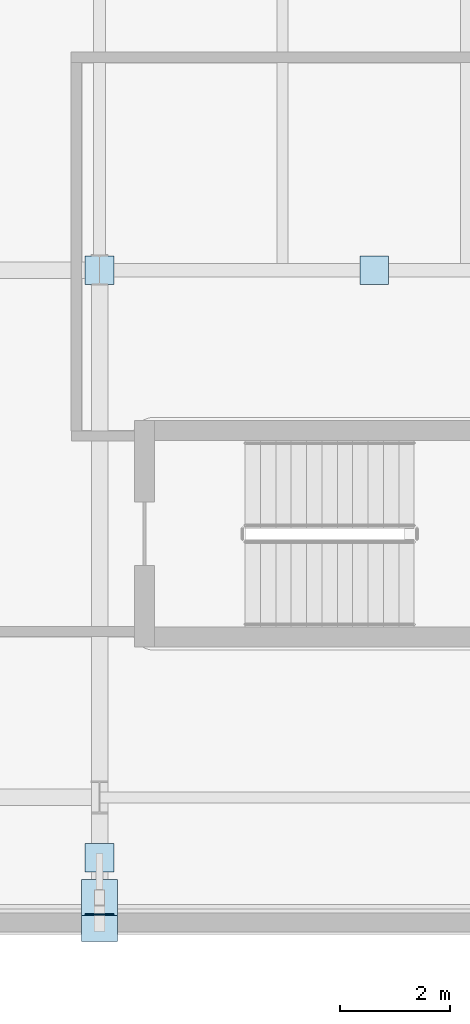
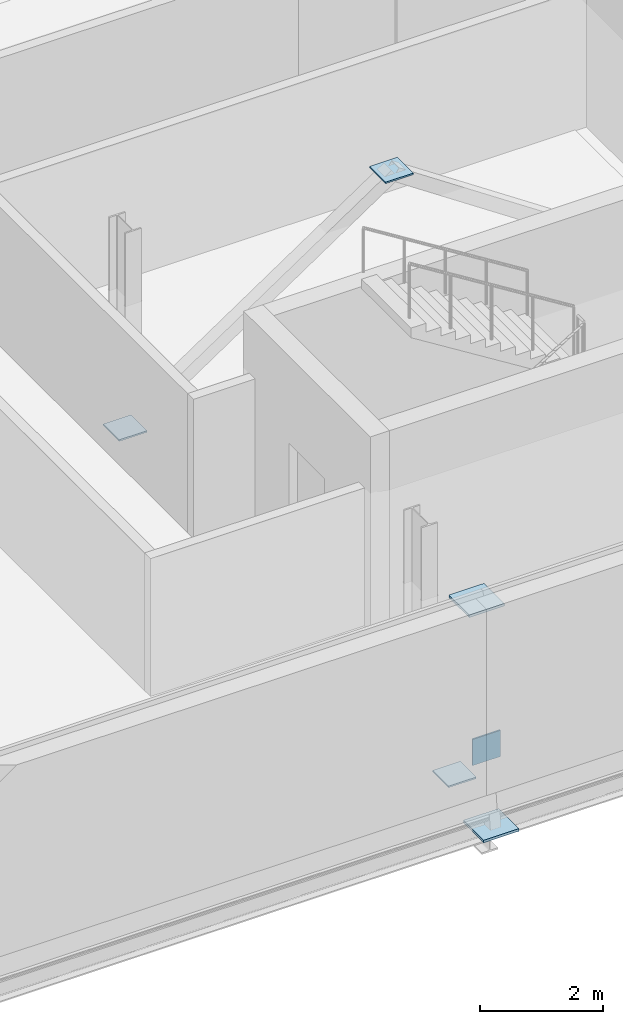
# One storey, part 53 of 90: 6 plates.
"""IFC4 building model written with IfcOpenShell, lengths in metres."""

from ifc_helpers import new_model, si_unit, direction, frame, origin, origin_2d, place, context, subcontext, project, spatial, rectangle, extrude, material, layer, layer_set, type_object, element, save


model = new_model("IFC4")

# Units and contexts
model_context = context("Model", 3, precision=1e-05, world=origin(), true_north=direction((0.0, 1.0)))
body_context = subcontext(model_context, "Body", "Model", "MODEL_VIEW")
ifc_project = project(units=[si_unit("LENGTHUNIT", "METRE"), si_unit("AREAUNIT", "SQUARE_METRE"), si_unit("VOLUMEUNIT", "CUBIC_METRE"), si_unit("PLANEANGLEUNIT", "RADIAN"), si_unit("MASSUNIT", "GRAM", prefix="KILO")], contexts=[model_context])

# Site, building, storey
site_placement = place(None, origin())
site = spatial("IfcSite", under=ifc_project, at=site_placement, CompositionType="ELEMENT")
building_placement = place(site_placement, origin())
building = spatial("IfcBuilding", under=site, at=building_placement, Name="Zereglee Splitstone Museum", CompositionType="ELEMENT")
storey_placement = place(building_placement, frame((0.0, 0.0, 4.800048828125)))
storey = spatial("IfcBuildingStorey", under=building, at=storey_placement, Name="L01", CompositionType="ELEMENT", Elevation=4.800048828125)

# Plates
ifc_material = material(Name="Steel S355J2", Category="steel")
ifc_layer_1 = layer(ifc_material, 0.030029296875)
ifc_layer_set_1 = layer_set([ifc_layer_1], Name="Steel S355J2")
plate_type_1 = type_object("IfcPlateType", Name="NP-04", PredefinedType="SHEET", material=ifc_layer_set_1)
for number, where, z_axis, x_axis, name in (
    (1, (185.199951171875, 9.60009765625, 0.10498046875), (0.0, 0.0, 1.0), (1.0, 0.0, 0.0), "CBF Brace Gusset Cap L01-016"),
    (2, (190.199951171875, 9.60009765625, 3.46484375), (0.0, 0.0, 1.0), (1.0, 0.0, 0.0), "CBF Brace Gusset Cap L01-016"),
    (3, (185.199951171875, -1.10009765625, -0.27490234375), (0.0, 0.0, 1.0), (1.0, 0.0, 0.0), "Facet Tie Seal Plate FH-V3S"),
):
    element("IfcPlate", number, at=place(storey_placement, frame(where, z_axis=z_axis, x_axis=x_axis)), inside=storey, type_object=plate_type_1, Name=name, PredefinedType="SHEET", context=body_context, shape_type="SweptSolid", body=[
        extrude(rectangle(XDim=0.52001953125, YDim=0.52001953125, at=origin_2d()), origin(), (0.0, 0.0, 1.0), 0.030029296875),
    ])
plate_placement = place(storey_placement, frame((185.199951171875, -2.131591796875, 0.639892578125), z_axis=(0.0, 0.0, 1.0), x_axis=(1.0, 0.0, 0.0)))
element("IfcPlate", 4, at=plate_placement, inside=storey, type_object=plate_type_1, Name="Facet Tie Seal Plate FH-V3S", PredefinedType="SHEET", context=body_context, shape_type="SweptSolid", body=[
    extrude(rectangle(XDim=0.52001953125, YDim=0.030029296875, at=origin_2d()), origin(), (0.0, 0.0, 1.0), 0.52001953125),
])
ifc_layer_2 = layer(ifc_material, 0.050048828125)
ifc_layer_set_2 = layer_set([ifc_layer_2], Name="Steel S355J2")
plate_type_2 = type_object("IfcPlateType", Name="NP-02", PredefinedType="SHEET", material=ifc_layer_set_2)
for number, where, z_axis, x_axis, name in (
    (5, (185.199951171875, -2.295166015625, -0.5751953125), (0.0, 0.0, 1.0), (1.0, 0.0, 0.0), "Facet Strut Seal Plate FH-V3S"),
    (6, (185.199951171875, -1.82421875, 3.60498046875), (0.0, 0.0, 1.0), (1.0, 0.0, 0.0), "Facet Strut Seal Plate FH-V3S"),
):
    element("IfcPlate", number, at=place(storey_placement, frame(where, z_axis=z_axis, x_axis=x_axis)), inside=storey, type_object=plate_type_2, Name=name, PredefinedType="SHEET", context=body_context, shape_type="SweptSolid", body=[
        extrude(rectangle(XDim=0.659912109375, YDim=0.659912109375, at=origin_2d()), origin(), (0.0, 0.0, 1.0), 0.050048828125),
    ])

save(model, "model.ifc")
